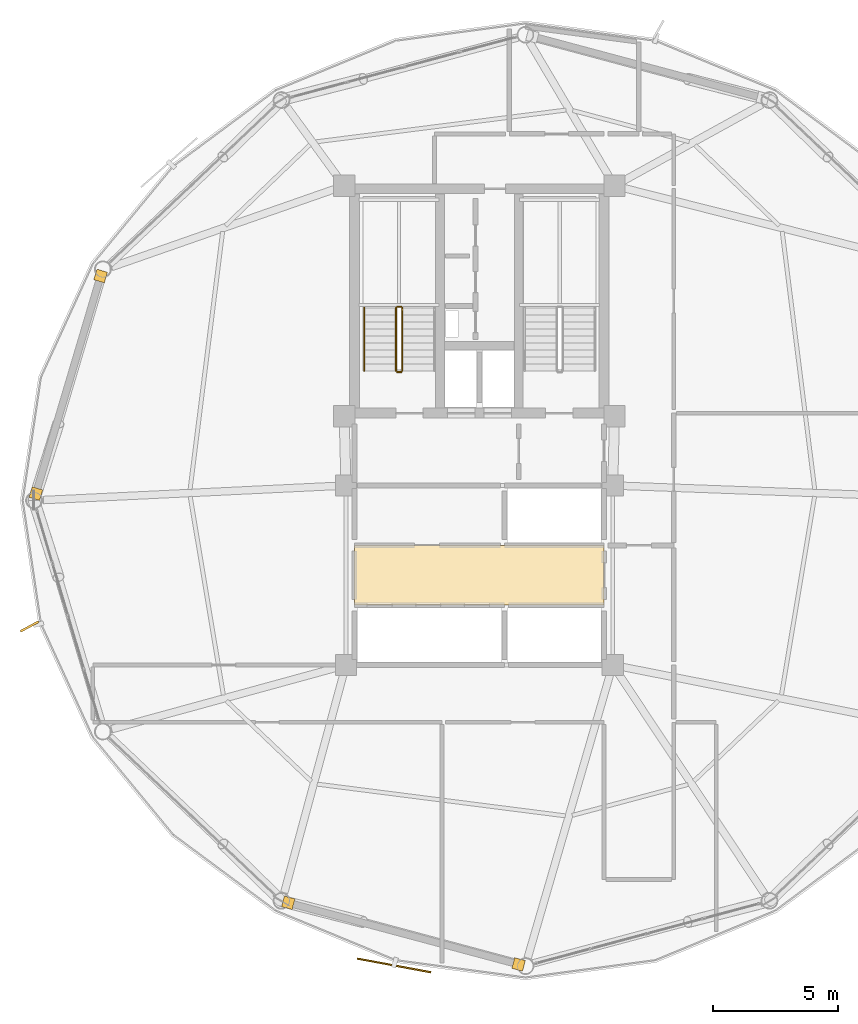
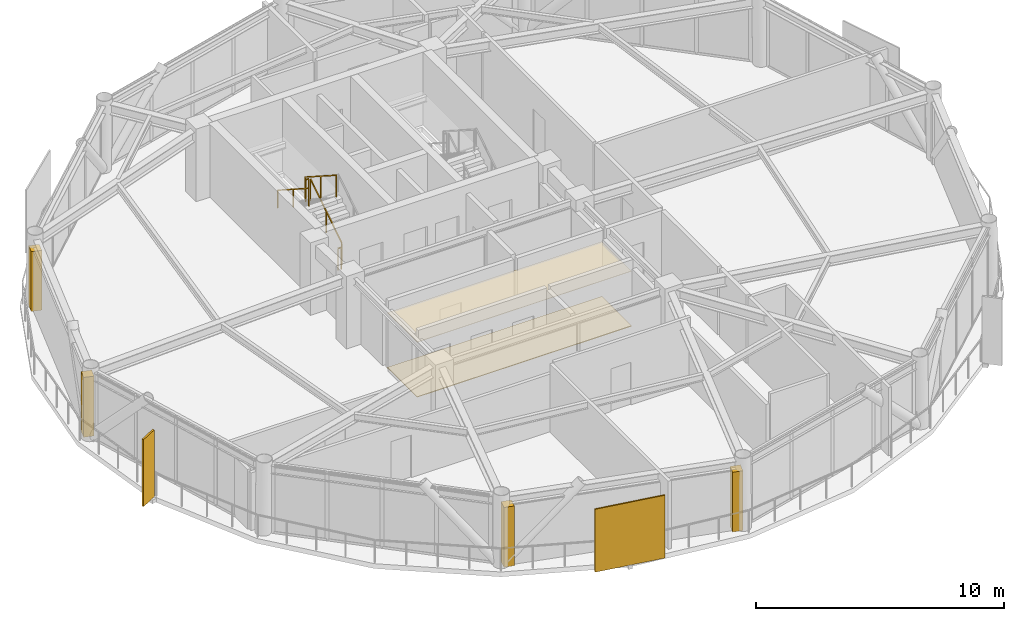
# One storey, part 26 of 29: 6 coverings, 5 railings, 2 shading devices.
"""IFC4 building model written with IfcOpenShell, lengths in metres."""

import ifcopenshell
import ifcopenshell.guid

model = None  # the IFC model being written
_history = None  # IfcOwnerHistory: only IFC2X3 demands one
_inside = {}  # id of a spatial element -> (the spatial element, [elements in it])
_under = {}  # id of a project, library or spatial element -> (it, [spatial elements below it])
_declared = {}  # id of a project -> (the project, [libraries it declares])
_typed = {}  # id of a type object -> (the type object, [elements of that type])
_made_of = {}  # id of a material, layer set ... -> (it, [elements and type objects made of it])


def new_model(schema):
    """Start an empty IFC model of exactly this schema.

    Asked for "IFC4X3", IfcOpenShell would pick the latest addendum, in which some entities
    have other attributes; the version numbers below select the first issue.
    IFC2X3 requires an IfcOwnerHistory on every rooted entity: one is made here for all.
    """
    global model, _history
    if schema == "IFC4X3":
        model = ifcopenshell.file(schema_version=(4, 3, 0, 0))
    else:
        model = ifcopenshell.file(schema=schema)
    _inside.clear()
    _under.clear()
    _declared.clear()
    _typed.clear()
    _made_of.clear()
    _history = None
    if model.schema == "IFC2X3":
        org = make("IfcOrganization", Name="unknown")
        user = make(
            "IfcPersonAndOrganization",
            ThePerson=make("IfcPerson", FamilyName="unknown"),
            TheOrganization=org,
        )
        app = make(
            "IfcApplication",
            ApplicationDeveloper=org,
            Version="unknown",
            ApplicationFullName="unknown",
            ApplicationIdentifier="unknown",
        )
        _history = make(
            "IfcOwnerHistory",
            OwningUser=user,
            OwningApplication=app,
            ChangeAction="ADDED",
            CreationDate=0,
        )
    return model


def make(cls, **values):
    """One entity of the class cls with the attributes given. An attribute that is None is left unset."""
    return model.create_entity(
        cls, **{name: value for name, value in values.items() if value is not None}
    )


def rooted(cls, **values):
    """An entity with a GlobalId (a new one), such as an element, a storey or a relation."""
    return make(cls, GlobalId=ifcopenshell.guid.new(), OwnerHistory=_history, **values)


def si_unit(unit_type, name, prefix=None):
    """IfcSIUnit, for example si_unit("LENGTHUNIT", "METRE", prefix="MILLI")."""
    return make("IfcSIUnit", UnitType=unit_type, Prefix=prefix, Name=name)


def assignment(units):
    """IfcUnitAssignment: the units of a project."""
    return None if units is None else make("IfcUnitAssignment", Units=units)


def point(xyz):
    """IfcCartesianPoint."""
    return None if xyz is None else make("IfcCartesianPoint", Coordinates=xyz)


def direction(xyz):
    """IfcDirection."""
    return None if xyz is None else make("IfcDirection", DirectionRatios=xyz)


def frame(location, z_axis=None, x_axis=None):
    """IfcAxis2Placement3D, a coordinate frame: its origin and axes. An axis left out is left unset."""
    return make(
        "IfcAxis2Placement3D",
        Location=point(location),
        Axis=direction(z_axis),
        RefDirection=direction(x_axis),
    )


def frame_2d(location, x_axis=None):
    """IfcAxis2Placement2D, a coordinate frame in the plane: its origin and x axis."""
    return make(
        "IfcAxis2Placement2D", Location=point(location), RefDirection=direction(x_axis)
    )


def origin():
    """The frame at (0, 0, 0) with its axes left unset."""
    return frame((0.0, 0.0, 0.0))


def origin_2d():
    """The frame at (0, 0) in the plane with its x axis left unset."""
    return frame_2d((0.0, 0.0))


def place(relative_to, where):
    """IfcLocalPlacement: puts the frame where relative to a parent placement (None: the world)."""
    return make(
        "IfcLocalPlacement", PlacementRelTo=relative_to, RelativePlacement=where
    )


def context(
    kind, dimensions, precision=None, world=None, true_north=None, identifier=None
):
    """IfcGeometricRepresentationContext, for example the 3D "Model" context."""
    return make(
        "IfcGeometricRepresentationContext",
        ContextIdentifier=identifier,
        ContextType=kind,
        CoordinateSpaceDimension=dimensions,
        Precision=precision,
        WorldCoordinateSystem=world,
        TrueNorth=true_north,
    )


def subcontext(parent, identifier, kind, view, scale=None):
    """IfcGeometricRepresentationSubContext, for example "Body" below "Model"."""
    return make(
        "IfcGeometricRepresentationSubContext",
        ContextIdentifier=identifier,
        ContextType=kind,
        ParentContext=parent,
        TargetScale=scale,
        TargetView=view,
    )


def project(units=None, contexts=None):
    """IfcProject with its units and contexts."""
    return rooted(
        "IfcProject",
        Name="project",
        RepresentationContexts=contexts,
        UnitsInContext=assignment(units),
    )


def spatial(cls, under=None, at=None, **own):
    """A site, building, storey or space (cls), placed at a placement, below another one or the project."""
    s = rooted(cls, ObjectPlacement=at, **own)
    if under is not None:
        _under.setdefault(under.id(), (under, []))[1].append(s)
    return s


def polyline(points):
    """IfcPolyline through the points."""
    return make("IfcPolyline", Points=[point(p) for p in points])


def profile(cls, at=None, kind="AREA", **sizes):
    """A parametric profile (cls). Its sizes go by their IFC names, for example OverallWidth=200.0."""
    return make(cls, ProfileType=kind, Position=at, **sizes)


def rectangle(**sizes):
    """IfcRectangleProfileDef."""
    return profile("IfcRectangleProfileDef", **sizes)


def outline(outer, holes=None, kind="AREA"):
    """IfcArbitraryClosedProfileDef: a profile drawn as a closed curve; with holes, ...WithVoids."""
    if holes is None:
        return make("IfcArbitraryClosedProfileDef", ProfileType=kind, OuterCurve=outer)
    return make(
        "IfcArbitraryProfileDefWithVoids",
        ProfileType=kind,
        OuterCurve=outer,
        InnerCurves=holes,
    )


def extrude(swept, where, along, depth):
    """IfcExtrudedAreaSolid: the profile swept, set in the frame where, extruded along a direction by depth."""
    return make(
        "IfcExtrudedAreaSolid",
        SweptArea=swept,
        Position=where,
        ExtrudedDirection=direction(along),
        Depth=depth,
    )


def shape(context_of_items, identifier, shape_type, items):
    """IfcShapeRepresentation: the items that make up one representation, for example the "Body"."""
    return make(
        "IfcShapeRepresentation",
        ContextOfItems=context_of_items,
        RepresentationIdentifier=identifier,
        RepresentationType=shape_type,
        Items=items,
    )


def source(mapping_origin, context_of_items, identifier, shape_type, items):
    """IfcRepresentationMap: a shape defined once, which mapped items show again and again."""
    return make(
        "IfcRepresentationMap",
        MappingOrigin=mapping_origin,
        MappedRepresentation=shape(context_of_items, identifier, shape_type, items),
    )


def transform(
    local_origin,
    x_axis=None,
    y_axis=None,
    z_axis=None,
    scale=None,
    scale2=None,
    scale3=None,
    uniform=True,
):
    """IfcCartesianTransformationOperator3D, or its non-uniform kind. x_axis, y_axis, z_axis: its Axis1, 2, 3."""
    if uniform:
        return make(
            "IfcCartesianTransformationOperator3D",
            Axis1=direction(x_axis),
            Axis2=direction(y_axis),
            LocalOrigin=point(local_origin),
            Scale=scale,
            Axis3=direction(z_axis),
        )
    return make(
        "IfcCartesianTransformationOperator3DnonUniform",
        Axis1=direction(x_axis),
        Axis2=direction(y_axis),
        LocalOrigin=point(local_origin),
        Scale=scale,
        Axis3=direction(z_axis),
        Scale2=scale2,
        Scale3=scale3,
    )


def mapped(mapping_source, mapping_target):
    """IfcMappedItem: shows the shape of a source again, moved by a transform."""
    return make(
        "IfcMappedItem", MappingSource=mapping_source, MappingTarget=mapping_target
    )


def material(Name=None, Category=None):
    """IfcMaterial."""
    return make("IfcMaterial", Name=Name, Category=Category)


def layer(
    of_material, thickness, ventilated=None, Name=None, Category=None, Priority=None
):
    """IfcMaterialLayer: one layer of a wall or slab, of a material (None: an air gap)."""
    return make(
        "IfcMaterialLayer",
        Material=of_material,
        LayerThickness=thickness,
        IsVentilated=ventilated,
        Name=Name,
        Category=Category,
        Priority=Priority,
    )


def layer_set(layers, Name=None):
    """IfcMaterialLayerSet."""
    return make("IfcMaterialLayerSet", MaterialLayers=layers, LayerSetName=Name)


def made_of(thing, what):
    """Note that an element or type object is made of a material, layer set ...; save() writes the relation."""
    if what is not None:
        _made_of.setdefault(what.id(), (what, []))[1].append(thing)
    return thing


def type_object(cls, material=None, **own):
    """A type object (cls), such as IfcWallType, which elements share."""
    return made_of(rooted(cls, **own), material)


def type_shapes(of_type, sources):
    """Give a type object the sources (RepresentationMaps) that its elements show as mapped items."""
    of_type.RepresentationMaps = sources


def element(
    cls,
    number,
    at=None,
    inside=None,
    cuts=None,
    type_object=None,
    material=None,
    context=None,
    identifier="Body",
    shape_type=None,
    held_by="IfcProductDefinitionShape",
    body=None,
    shapes=None,
    **own,
):
    """One element of the class cls, such as IfcWall. Its Tag is "e" and its number.

    at: its placement. inside: the storey or other place that contains it. cuts: it is an
    opening in that element (IfcRelVoidsElement). A single representation is given by context,
    identifier, shape_type and body (its items); several are given by shapes. held_by: the class
    of the entity that holds the representations. save() writes the other relations.
    """
    e = rooted(cls, Tag="e%d" % number, ObjectPlacement=at, **own)
    if body is not None:
        shapes = [shape(context, identifier, shape_type, body)]
    if shapes is not None:
        e.Representation = make(held_by, Representations=shapes)
    if inside is not None:
        _inside.setdefault(inside.id(), (inside, []))[1].append(e)
    if cuts is not None:
        rooted(
            "IfcRelVoidsElement", RelatingBuildingElement=cuts, RelatedOpeningElement=e
        )
    if type_object is not None:
        _typed.setdefault(type_object.id(), (type_object, []))[1].append(e)
    return made_of(e, material)


def aggregate(whole, parts):
    """IfcRelAggregates: a whole, such as a stair, and the parts it consists of."""
    return rooted("IfcRelAggregates", RelatingObject=whole, RelatedObjects=parts)


def save(model, path):
    """Write the relations noted so far, then the file.

    IfcRelAggregates (storeys below a building ...), IfcRelContainedInSpatialStructure (elements
    in a storey), IfcRelDefinesByType, IfcRelAssociatesMaterial and IfcRelDeclares: one each for
    every whole, place, type object, material and project.
    """
    for whole, parts in _under.values():
        aggregate(whole, parts)
    for where, things in _inside.values():
        rooted(
            "IfcRelContainedInSpatialStructure",
            RelatedElements=things,
            RelatingStructure=where,
        )
    for kind, things in _typed.values():
        rooted("IfcRelDefinesByType", RelatedObjects=things, RelatingType=kind)
    for what, things in _made_of.values():
        rooted("IfcRelAssociatesMaterial", RelatedObjects=things, RelatingMaterial=what)
    for by, libraries in _declared.values():
        rooted("IfcRelDeclares", RelatingContext=by, RelatedDefinitions=libraries)
    model.write(path)


model = new_model("IFC4")

# Units and contexts
model_context = context("Model", 3, precision=1e-05, world=origin(), true_north=direction((0.0, 1.0)))
body_context = subcontext(model_context, "Body", "Model", "MODEL_VIEW")
ifc_project = project(units=[si_unit("LENGTHUNIT", "METRE"), si_unit("AREAUNIT", "SQUARE_METRE"), si_unit("VOLUMEUNIT", "CUBIC_METRE"), si_unit("PLANEANGLEUNIT", "RADIAN"), si_unit("MASSUNIT", "GRAM", prefix="KILO")], contexts=[model_context])

# Site, building, storey
site_placement = place(None, origin())
site = spatial("IfcSite", under=ifc_project, at=site_placement, CompositionType="ELEMENT")
building_placement = place(site_placement, origin())
building = spatial("IfcBuilding", under=site, at=building_placement, Name="Varnakorn Sky Granary", CompositionType="ELEMENT")
storey_placement = place(building_placement, frame((0.0, 0.0, 182.39990234375)))
storey = spatial("IfcBuildingStorey", under=building, at=storey_placement, Name="L45", CompositionType="ELEMENT", Elevation=182.39990234375)

# Coverings
ifc_material_1 = material(Name="Perforated Acoustic Mineral-Fibre Ceiling", Category="gypsum")
ifc_layer_1 = layer(ifc_material_1, 0.02001953125, Name="Perforated Acoustic Mineral-Fibre Ceiling")
ifc_layer_set_1 = layer_set([ifc_layer_1], Name="Perforated Acoustic Mineral-Fibre Ceiling")
covering_type_1 = type_object("IfcCoveringType", Name="CV-CEIL-20", PredefinedType="CEILING", material=ifc_layer_set_1)
covering_1_placement = place(storey_placement, frame((0.0, 0.0, 2.710205078125)))
element("IfcCovering", 1, at=covering_1_placement, inside=storey, type_object=covering_type_1, Name="Lift Lobby Perforated Acoustic Ceiling L45", PredefinedType="CEILING", context=body_context, shape_type="SweptSolid", body=[
    extrude(outline(polyline([(-2.0, -4.199951171875), (8.0, -4.199951171875), (8.0, -1.800048828125), (-2.0, -1.800048828125), (-2.0, -4.199951171875)])), origin(), (0.0, 0.0, 1.0), 0.019775390625),
])
ifc_material_2 = material(Name="Honed Epoxy Terrazzo Topping", Category="concrete")
ifc_layer_2 = layer(ifc_material_2, 0.030029296875, Name="Honed Epoxy Terrazzo Topping")
ifc_layer_set_2 = layer_set([ifc_layer_2], Name="Honed Epoxy Terrazzo Topping")
covering_type_2 = type_object("IfcCoveringType", Name="CV-FLOR-30", PredefinedType="FLOORING", material=ifc_layer_set_2)
covering_2_placement = place(storey_placement, origin())
element("IfcCovering", 2, at=covering_2_placement, inside=storey, type_object=covering_type_2, Name="Lift Lobby Terrazzo Floor Finish L45", PredefinedType="FLOORING", context=body_context, shape_type="SweptSolid", body=[
    extrude(outline(polyline([(-2.0, -4.199951171875), (8.0, -4.199951171875), (8.0, -1.800048828125), (-2.0, -1.800048828125), (-2.0, -4.199951171875)])), origin(), (0.0, 0.0, 1.0), 0.030029296875),
])

# Railings
ifc_material_3 = material(Name="Brushed Stainless Steel 316", Category="steel")
railing_type_1 = type_object("IfcRailingType", Name="RL-STAIR-1100", PredefinedType="GUARDRAIL", material=ifc_material_3)
railing_1_placement = place(storey_placement, frame((-0.090087890625, 5.199951171875, 0.18017578125)))
element("IfcRailing", 3, at=railing_1_placement, inside=storey, type_object=railing_type_1, Name="L45 ST-1 stair guard 1", PredefinedType="GUARDRAIL", context=body_context, shape_type="SweptSolid", body=[
    extrude(rectangle(XDim=0.048095703125, YDim=0.048095703125, at=origin_2d()), frame((0.0, 0.0, 1.076171875), z_axis=(0.0, 0.841199657755, 0.540724639528), x_axis=(-1.0, 0.0, 0.0)), (0.0, 0.0, 1.0), 2.995849609375),
    extrude(rectangle(XDim=0.0419921875, YDim=0.0419921875, at=origin_2d()), origin(), (0.0, 0.0, 1.0), 1.048095703125),
    extrude(rectangle(XDim=0.0419921875, YDim=0.0419921875, at=origin_2d()), frame((0.0, 1.260009765625, 0.81005859375)), (0.0, 0.0, 1.0), 1.048095703125),
    extrude(rectangle(XDim=0.0419921875, YDim=0.0419921875, at=origin_2d()), frame((0.0, 2.52001953125, 1.619873046875)), (0.0, 0.0, 1.0), 1.048095703125),
])
railing_2_placement = place(storey_placement, frame((-0.139892578125, 7.77001953125, 1.800048828125)))
element("IfcRailing", 4, at=railing_2_placement, inside=storey, type_object=railing_type_1, Name="L45 ST-1 stair guard 2", PredefinedType="GUARDRAIL", context=body_context, shape_type="SweptSolid", body=[
    extrude(rectangle(XDim=0.048095703125, YDim=0.048095703125, at=origin_2d()), frame((0.0, 0.0, 1.076171875), z_axis=(-1.0, 0.0, 0.0), x_axis=(0.0, -1.0, 0.0)), (0.0, 0.0, 1.0), 0.150146484375),
    extrude(rectangle(XDim=0.0419921875, YDim=0.0419921875, at=origin_2d()), origin(), (0.0, 0.0, 1.0), 1.048095703125),
    extrude(rectangle(XDim=0.0419921875, YDim=0.0419921875, at=origin_2d()), frame((-0.150146484375, 0.0, 0.0)), (0.0, 0.0, 1.0), 1.048095703125),
])
railing_3_placement = place(storey_placement, frame((-0.340087890625, 7.719970703125, 1.97998046875)))
element("IfcRailing", 5, at=railing_3_placement, inside=storey, type_object=railing_type_1, Name="L45 ST-1 stair guard 3", PredefinedType="GUARDRAIL", context=body_context, shape_type="SweptSolid", body=[
    extrude(rectangle(XDim=0.048095703125, YDim=0.048095703125, at=origin_2d()), frame((0.0, 0.0, 1.076171875), z_axis=(0.0, -0.841162588446, 0.540782303519), x_axis=(1.0, 0.0, 0.0)), (0.0, 0.0, 1.0), 2.995849609375),
    extrude(rectangle(XDim=0.0419921875, YDim=0.0419921875, at=origin_2d()), origin(), (0.0, 0.0, 1.0), 1.048095703125),
    extrude(rectangle(XDim=0.0419921875, YDim=0.0419921875, at=origin_2d()), frame((0.0, -1.260009765625, 0.81005859375)), (0.0, 0.0, 1.0), 1.048095703125),
    extrude(rectangle(XDim=0.0419921875, YDim=0.0419921875, at=origin_2d()), frame((0.0, -2.52001953125, 1.6201171875)), (0.0, 0.0, 1.0), 1.048095703125),
])
railing_4_placement = place(storey_placement, frame((-0.139892578125, 5.14990234375, 0.0)))
element("IfcRailing", 6, at=railing_4_placement, inside=storey, type_object=railing_type_1, Name="L45 ST-1 stair guard 4", PredefinedType="GUARDRAIL", context=body_context, shape_type="SweptSolid", body=[
    extrude(rectangle(XDim=0.048095703125, YDim=0.048095703125, at=origin_2d()), frame((0.0, 0.0, 1.076171875), z_axis=(-1.0, 0.0, 0.0), x_axis=(0.0, -1.0, 0.0)), (0.0, 0.0, 1.0), 0.150146484375),
    extrude(rectangle(XDim=0.0419921875, YDim=0.0419921875, at=origin_2d()), origin(), (0.0, 0.0, 1.0), 1.048095703125),
    extrude(rectangle(XDim=0.0419921875, YDim=0.0419921875, at=origin_2d()), frame((-0.150146484375, 0.0, 0.0)), (0.0, 0.0, 1.0), 1.048095703125),
])
railing_type_2 = type_object("IfcRailingType", Name="RL-STAIR-920", PredefinedType="HANDRAIL", material=ifc_material_3)
railing_5_placement = place(storey_placement, frame((-1.6201171875, 7.719970703125, 1.97998046875)))
element("IfcRailing", 7, at=railing_5_placement, inside=storey, type_object=railing_type_2, Name="L45 ST-1 stair handrail 2", PredefinedType="HANDRAIL", context=body_context, shape_type="SweptSolid", body=[
    extrude(rectangle(XDim=0.048095703125, YDim=0.048095703125, at=origin_2d()), frame((0.0, 0.0, 0.8759765625), z_axis=(0.0, -0.841162588446, 0.540782303519), x_axis=(1.0, 0.0, 0.0)), (0.0, 0.0, 1.0), 2.995849609375),
    extrude(rectangle(XDim=0.0419921875, YDim=0.0419921875, at=origin_2d()), origin(), (0.0, 0.0, 1.0), 0.847900390625),
    extrude(rectangle(XDim=0.0419921875, YDim=0.0419921875, at=origin_2d()), frame((0.0, -1.260009765625, 0.81005859375)), (0.0, 0.0, 1.0), 0.847900390625),
    extrude(rectangle(XDim=0.0419921875, YDim=0.0419921875, at=origin_2d()), frame((0.0, -2.52001953125, 1.6201171875)), (0.0, 0.0, 1.0), 0.847900390625),
])

# Shading devices
ifc_material_4 = material(Name="Anodised Bronze Aluminium Alloy 6063-T6", Category="aluminium")
shading_device_type_1 = type_object("IfcShadingDeviceType", Name="SH-SCR-02", PredefinedType="USERDEFINED", material=ifc_material_4)
shared_shape_1 = source(origin(), body_context, "Body", "SweptSolid", [
    extrude(rectangle(XDim=3.0, YDim=0.06494140625, at=origin_2d()), origin(), (0.0, 0.0, 1.0), 3.10009765625),
])
type_shapes(shading_device_type_1, [shared_shape_1])
shading_device_1_placement = place(storey_placement, frame((-0.41748046875, -18.648193359375, -0.0400390625), z_axis=(0.0, 0.0, 1.0), x_axis=(0.983180737034, -0.182635260354, 0.0)))
element("IfcShadingDevice", 8, at=shading_device_1_placement, inside=storey, type_object=shading_device_type_1, Name="Perforated Bronze Solar Screen Panel SCREEN L45-09", ObjectType="SCREEN", PredefinedType="USERDEFINED", context=body_context, shape_type="MappedRepresentation", body=[
    mapped(shared_shape_1, transform((0.0, 0.0, 0.0), x_axis=(1.0, 0.0, 0.0), y_axis=(0.0, 1.0, 0.0), z_axis=(0.0, 0.0, 1.0), scale=1.0)),
])
shading_device_type_2 = type_object("IfcShadingDeviceType", Name="SH-FIN-02", PredefinedType="USERDEFINED", material=ifc_material_4)
shared_shape_2 = source(origin(), body_context, "Body", "SweptSolid", [
    extrude(rectangle(XDim=0.0849609375, YDim=0.820068359375, at=origin_2d()), origin(), (0.0, 0.0, 1.0), 3.300048828125),
])
type_shapes(shading_device_type_2, [shared_shape_2])
shading_device_2_placement = place(storey_placement, frame((-15.0400390625, -5.0556640625, -0.0400390625), z_axis=(0.0, 0.0, 1.0), x_axis=(0.474386226286, -0.88031682269, 0.0)))
element("IfcShadingDevice", 9, at=shading_device_2_placement, inside=storey, type_object=shading_device_type_2, Name="Bronze Solar-Tracking Vertical Blade FIN L45-07", ObjectType="FIN", PredefinedType="USERDEFINED", context=body_context, shape_type="MappedRepresentation", body=[
    mapped(shared_shape_2, transform((0.0, 0.0, 0.0), x_axis=(1.0, 0.0, 0.0), y_axis=(0.0, 1.0, 0.0), z_axis=(0.0, 0.0, 1.0), scale=1.0)),
])

# Coverings
ifc_layer_3 = layer(ifc_material_4, 0.050048828125, Name="Anodised Bronze Aluminium Alloy 6063-T6")
ifc_layer_set_3 = layer_set([ifc_layer_3], Name="Anodised Bronze Aluminium Alloy 6063-T6")
covering_type_3 = type_object("IfcCoveringType", Name="CV-CLAD-50", PredefinedType="CLADDING", material=ifc_layer_set_3)
shared_shape_3 = source(origin(), body_context, "Body", "SweptSolid", [
    extrude(rectangle(XDim=0.43994140625, YDim=0.43994140625, at=origin_2d()), origin(), (0.0, 0.0, 1.0), 2.949951171875),
])
type_shapes(covering_type_3, [shared_shape_3])
for number, where, z_axis, x_axis, name in (
    (10, (-14.78369140625, 0.273193359375, -0.02001953125), (0.0, 0.0, 1.0), (0.28501926247, 0.958521789017, 0.0), "Bronze Corner Pilaster Closure L45-P06-A"),
    (11, (-12.18798828125, 9.000244140625, -0.02001953125), (0.0, 0.0, 1.0), (0.28501926247, 0.958521789017, 0.0), "Bronze Corner Pilaster Closure L45-P06-B"),
    (12, (4.57470703125, -18.6083984375, -0.02001953125), (0.0, 0.0, 1.0), (-0.96601611233, 0.258481857621, 0.0), "Bronze Corner Pilaster Closure L45-P09-A"),
    (13, (-4.664794921875, -16.135986328125, -0.02001953125), (0.0, 0.0, 1.0), (-0.96601611233, 0.258481857621, 0.0), "Bronze Corner Pilaster Closure L45-P09-B"),
):
    element("IfcCovering", number, at=place(storey_placement, frame(where, z_axis=z_axis, x_axis=x_axis)), inside=storey, type_object=covering_type_3, Name=name, PredefinedType="CLADDING", context=body_context, shape_type="MappedRepresentation", body=[
        mapped(shared_shape_3, transform((0.0, 0.0, 0.0), x_axis=(1.0, 0.0, 0.0), y_axis=(0.0, 1.0, 0.0), z_axis=(0.0, 0.0, 1.0), scale=1.0)),
    ])

save(model, "model.ifc")
